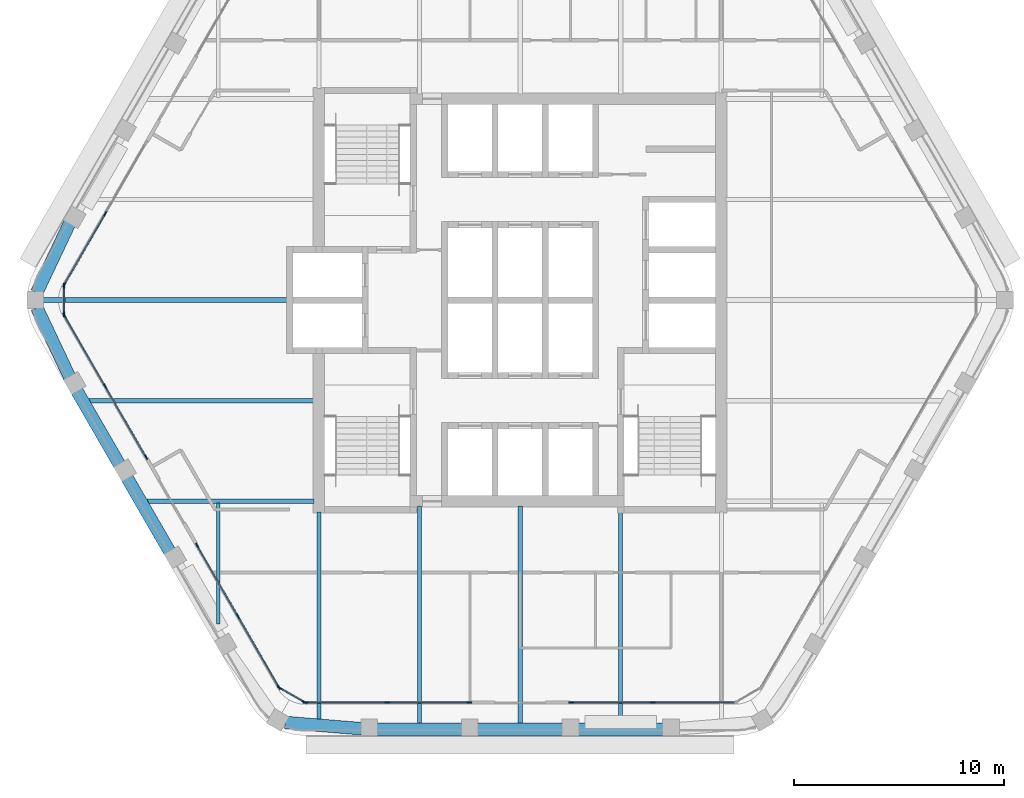
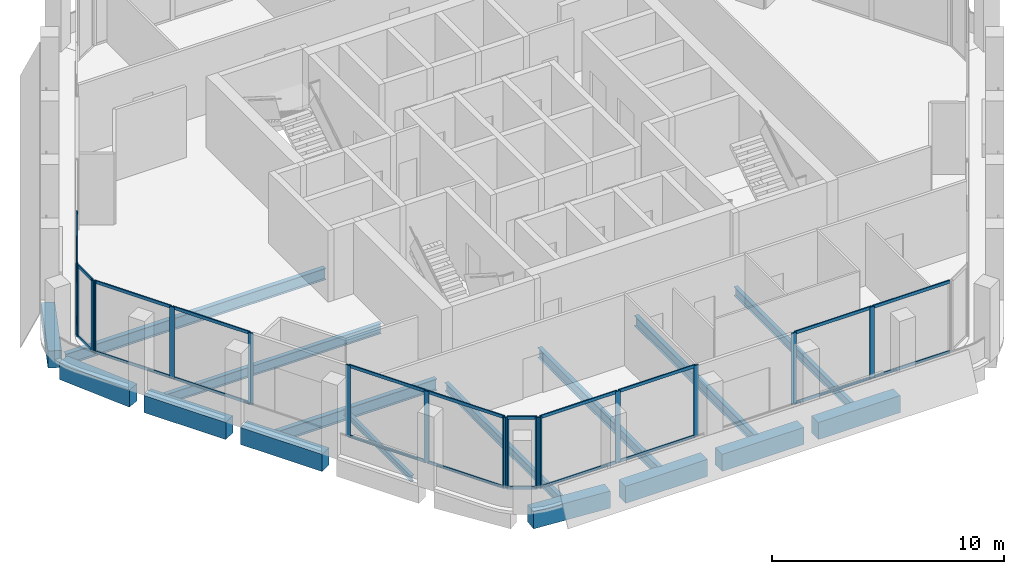
# One storey, part 2 of 14: 39 members, 16 beams, 7 elements without a shape of their own.
"""IFC4 building model written with IfcOpenShell, lengths in metres."""

from ifc_helpers import new_model, si_unit, direction, frame, origin, origin_2d, place, context, subcontext, project, spatial, rectangle, i_section, extrude, material, material_profile, profile_set, type_object, element, aggregate, save


model = new_model("IFC4")

# Units and contexts
model_context = context("Model", 3, precision=1e-05, world=origin(), true_north=direction((0.0, 1.0)))
body_context = subcontext(model_context, "Body", "Model", "MODEL_VIEW")
ifc_project = project(units=[si_unit("LENGTHUNIT", "METRE"), si_unit("AREAUNIT", "SQUARE_METRE"), si_unit("VOLUMEUNIT", "CUBIC_METRE"), si_unit("PLANEANGLEUNIT", "RADIAN"), si_unit("MASSUNIT", "GRAM", prefix="KILO")], contexts=[model_context])

# Site, building, storey
site_placement = place(None, origin())
site = spatial("IfcSite", under=ifc_project, at=site_placement, CompositionType="ELEMENT")
building_placement = place(site_placement, origin())
building = spatial("IfcBuilding", under=site, at=building_placement, Name="Kolab Exchange Tower", CompositionType="ELEMENT")
storey_placement = place(building_placement, frame((0.0, 0.0, 261.800048828125)))
storey = spatial("IfcBuildingStorey", under=building, at=storey_placement, Name="L58", CompositionType="ELEMENT", Elevation=261.800048828125)

# Beams
ifc_material_1 = material(Name="Steel S355", Category="steel")
ifc_material_profile_1 = material_profile(ifc_material_1, i_section(OverallWidth=0.1650390625, OverallDepth=0.31005859375, WebThickness=0.005859375, FlangeThickness=0.009765625, at=origin_2d()), Name="W310X39")
ifc_profile_set_1 = profile_set([ifc_material_profile_1], Name="Steel S355")
beam_type_1 = type_object("IfcBeamType", Name="FLOOR BEAM W310X39", PredefinedType="BEAM", material=ifc_profile_set_1)
beam_1_placement = place(storey_placement, frame((-14.39990234375, -15.4677734375, -0.304931640625), z_axis=(0.0, 1.0, 0.0), x_axis=(-1.0, 0.0, 0.0)))
element("IfcBeam", 1, at=beam_1_placement, inside=storey, type_object=beam_type_1, Name="beam/L58/fr/003", PredefinedType="BEAM", context=body_context, shape_type="SweptSolid", body=[
    extrude(i_section(OverallWidth=0.1650390625, OverallDepth=0.31005859375, WebThickness=0.005859375, FlangeThickness=0.009765625, at=origin_2d()), origin(), (0.0, 0.0, 1.0), 5.793701171875),
])
ifc_material_profile_2 = material_profile(ifc_material_1, i_section(OverallWidth=0.18994140625, OverallDepth=0.45703125, WebThickness=0.009033203125, FlangeThickness=0.014404296875, at=origin_2d()), Name="W460X74")
ifc_profile_set_2 = profile_set([ifc_material_profile_2], Name="Steel S355")
beam_type_2 = type_object("IfcBeamType", Name="FLOOR BEAM W460X74", PredefinedType="BEAM", material=ifc_profile_set_2)
beam_2_placement = place(storey_placement, frame((-9.60009765625, -20.027099609375, -0.378662109375), z_axis=(0.0, 1.0, 0.0), x_axis=(-1.0, 0.0, 0.0)))
element("IfcBeam", 2, at=beam_2_placement, inside=storey, type_object=beam_type_2, Name="beam/L58/fr/005", PredefinedType="BEAM", context=body_context, shape_type="SweptSolid", body=[
    extrude(i_section(OverallWidth=0.18994140625, OverallDepth=0.45703125, WebThickness=0.009033203125, FlangeThickness=0.014404296875, at=origin_2d()), origin(), (0.0, 0.0, 1.0), 9.9169921875),
])
beam_3_placement = place(storey_placement, frame((4.800048828125, -20.224609375, -0.378662109375), z_axis=(0.0, 1.0, 0.0), x_axis=(-1.0, 0.0, 0.0)))
element("IfcBeam", 3, at=beam_3_placement, inside=storey, type_object=beam_type_2, Name="beam/L58/fr/011", PredefinedType="BEAM", context=body_context, shape_type="SweptSolid", body=[
    extrude(i_section(OverallWidth=0.18994140625, OverallDepth=0.45703125, WebThickness=0.009033203125, FlangeThickness=0.014404296875, at=origin_2d()), origin(), (0.0, 0.0, 1.0), 10.114501953125),
])
ifc_material_profile_3 = material_profile(ifc_material_1, i_section(OverallWidth=0.208984375, OverallDepth=0.532958984375, WebThickness=0.01025390625, FlangeThickness=0.015625, at=origin_2d()), Name="W530X92")
ifc_profile_set_3 = profile_set([ifc_material_profile_3], Name="Steel S355")
beam_type_3 = type_object("IfcBeamType", Name="FLOOR BEAM W530X92", PredefinedType="BEAM", material=ifc_profile_set_3)
beam_4_placement = place(storey_placement, frame((-20.575927734375, -4.800048828125, -0.41650390625), z_axis=(1.0, 0.0, 0.0), x_axis=(0.0, 1.0, 0.0)))
element("IfcBeam", 4, at=beam_4_placement, inside=storey, type_object=beam_type_3, Name="beam/L58/fr/001", PredefinedType="BEAM", context=body_context, shape_type="SweptSolid", body=[
    extrude(i_section(OverallWidth=0.208984375, OverallDepth=0.532958984375, WebThickness=0.01025390625, FlangeThickness=0.015625, at=origin_2d()), origin(), (0.0, 0.0, 1.0), 10.740966796875),
])
for number, where, z_axis, x_axis, name in (
    (5, (-4.800048828125, -20.224609375, -0.41650390625), (0.0, 1.0, 0.0), (-1.0, 0.0, 0.0), "beam/L58/fr/007"),
    (6, (0.0, -20.224609375, -0.41650390625), (0.0, 1.0, 0.0), (-1.0, 0.0, 0.0), "beam/L58/fr/009"),
):
    element("IfcBeam", number, at=place(storey_placement, frame(where, z_axis=z_axis, x_axis=x_axis)), inside=storey, type_object=beam_type_3, Name=name, PredefinedType="BEAM", context=body_context, shape_type="SweptSolid", body=[
        extrude(i_section(OverallWidth=0.208984375, OverallDepth=0.532958984375, WebThickness=0.01025390625, FlangeThickness=0.015625, at=origin_2d()), origin(), (0.0, 0.0, 1.0), 10.3896484375),
    ])
ifc_material_profile_4 = material_profile(ifc_material_1, i_section(OverallWidth=0.22802734375, OverallDepth=0.60791015625, WebThickness=0.01123046875, FlangeThickness=0.017333984375, at=origin_2d()), Name="W610X113")
ifc_profile_set_4 = profile_set([ifc_material_profile_4], Name="Steel S355")
beam_type_4 = type_object("IfcBeamType", Name="FLOOR BEAM W610X113", PredefinedType="BEAM", material=ifc_profile_set_4)
beam_5_placement = place(storey_placement, frame((-22.77587890625, 0.0, -0.4541015625), z_axis=(1.0, 0.0, 0.0), x_axis=(0.0, 1.0, 0.0)))
element("IfcBeam", 7, at=beam_5_placement, inside=storey, type_object=beam_type_4, Name="beam/L58/fr/000", PredefinedType="BEAM", context=body_context, shape_type="SweptSolid", body=[
    extrude(i_section(OverallWidth=0.22802734375, OverallDepth=0.60791015625, WebThickness=0.01123046875, FlangeThickness=0.017333984375, at=origin_2d()), origin(), (0.0, 0.0, 1.0), 12.94091796875),
])
ifc_material_profile_5 = material_profile(ifc_material_1, i_section(OverallWidth=0.22802734375, OverallDepth=0.60791015625, WebThickness=0.01123046875, FlangeThickness=0.017333984375, at=origin_2d()), Name="W610X113")
ifc_profile_set_5 = profile_set([ifc_material_profile_5], Name="Steel S355")
beam_type_5 = type_object("IfcBeamType", Name="FLOOR GIRDER W610X113", PredefinedType="BEAM", material=ifc_profile_set_5)
beam_6_placement = place(storey_placement, frame((-17.8046875, -9.60009765625, -0.4541015625), z_axis=(1.0, 0.0, 0.0), x_axis=(0.0, 1.0, 0.0)))
element("IfcBeam", 8, at=beam_6_placement, inside=storey, type_object=beam_type_5, Name="beam/L58/gd/000", PredefinedType="BEAM", context=body_context, shape_type="SweptSolid", body=[
    extrude(i_section(OverallWidth=0.22802734375, OverallDepth=0.60791015625, WebThickness=0.01123046875, FlangeThickness=0.017333984375, at=origin_2d()), origin(), (0.0, 0.0, 1.0), 7.9697265625),
])
ifc_material_2 = material(Name="Concrete C50/60", Category="concrete")
ifc_material_profile_6 = material_profile(ifc_material_2, rectangle(XDim=0.60009765625, YDim=0.89990234375, at=origin_2d()), Name="RC600X900")
ifc_profile_set_6 = profile_set([ifc_material_profile_6], Name="Concrete C50/60")
beam_type_6 = type_object("IfcBeamType", Name="SPANDREL BEAM 600X900 C50/60", PredefinedType="BEAM", material=ifc_profile_set_6)
for number, where, z_axis, x_axis, name in (
    (9, (6.840087890625, -20.484619140625, -0.60009765625), (-1.0, 0.0, 0.0), (0.0, -1.0, 0.0), "beam/L58/sp/F4-02"),
    (10, (2.0400390625, -20.484619140625, -0.60009765625), (-1.0, 0.0, 0.0), (0.0, -1.0, 0.0), "beam/L58/sp/F4-03"),
    (11, (-2.760009765625, -20.484619140625, -0.60009765625), (-1.0, 0.0, 0.0), (0.0, -1.0, 0.0), "beam/L58/sp/F4-04"),
):
    element("IfcBeam", number, at=place(storey_placement, frame(where, z_axis=z_axis, x_axis=x_axis)), inside=storey, type_object=beam_type_6, Name=name, PredefinedType="BEAM", context=body_context, shape_type="SweptSolid", body=[
        extrude(rectangle(XDim=0.60009765625, YDim=0.89990234375, at=origin_2d()), origin(), (0.0, 0.0, 1.0), 4.080078125),
    ])
beam_7_placement = place(storey_placement, frame((-7.56005859375, -20.455078125, -0.60009765625), z_axis=(-0.996666751878, 0.081580547323, 0.0), x_axis=(-0.081580547323, -0.996666751878, 0.0)))
element("IfcBeam", 12, at=beam_7_placement, inside=storey, type_object=beam_type_6, Name="beam/L58/sp/F4-05", PredefinedType="BEAM", context=body_context, shape_type="SweptSolid", body=[
    extrude(rectangle(XDim=0.60009765625, YDim=0.89990234375, at=origin_2d()), origin(), (0.0, 0.0, 1.0), 3.6689453125),
])
for number, where, z_axis, x_axis, name in (
    (13, (-16.72021484375, -12.009033203125, -0.60009765625), (-0.500000428765, 0.866025156237, 0.0), (-0.866025156237, -0.500000428765, 0.0), "beam/L58/sp/F5-03"),
    (14, (-19.1201171875, -7.85205078125, -0.60009765625), (-0.500000428765, 0.866025156237, 0.0), (-0.866025156237, -0.500000428765, 0.0), "beam/L58/sp/F5-04"),
):
    element("IfcBeam", number, at=place(storey_placement, frame(where, z_axis=z_axis, x_axis=x_axis)), inside=storey, type_object=beam_type_6, Name=name, PredefinedType="BEAM", context=body_context, shape_type="SweptSolid", body=[
        extrude(rectangle(XDim=0.60009765625, YDim=0.89990234375, at=origin_2d()), origin(), (0.0, 0.0, 1.0), 4.080078125),
    ])
for number, where, z_axis, x_axis, name in (
    (15, (-21.49462890625, -3.68017578125, -0.60009765625), (-0.427677251998, 0.903931506323, 0.0), (-0.903931506323, -0.427677251998, 0.0), "beam/L58/sp/F5-05"),
    (16, (-23.063720703125, 0.36376953125, -0.60009765625), (0.427677251998, 0.903931506323, 0.0), (-0.903931506323, 0.427677251998, 0.0), "beam/L58/sp/F6-01"),
):
    element("IfcBeam", number, at=place(storey_placement, frame(where, z_axis=z_axis, x_axis=x_axis)), inside=storey, type_object=beam_type_6, Name=name, PredefinedType="BEAM", context=body_context, shape_type="SweptSolid", body=[
        extrude(rectangle(XDim=0.60009765625, YDim=0.89990234375, at=origin_2d()), origin(), (0.0, 0.0, 1.0), 3.6689453125),
    ])

# Curtain wall, members
ifc_material_3 = material(Name="Aluminium EN AW-6063 T6", Category="aluminium")
curtain_wall_type = type_object("IfcCurtainWallType", Name="UNITISED HIGH ZONE CURTAIN WALL", PredefinedType="NOTDEFINED", material=ifc_material_3)
curtain_wall_1_placement = place(storey_placement, origin())
curtain_wall_1 = element("IfcCurtainWall", 17, at=curtain_wall_1_placement, inside=storey, type_object=curtain_wall_type, Name="cw/L58/F4-1", PredefinedType="NOTDEFINED")
ifc_material_profile_7 = material_profile(ifc_material_3, rectangle(XDim=0.06005859375, YDim=0.239990234375, at=origin_2d()), Name="RECT 60X240")
ifc_profile_set_7 = profile_set([ifc_material_profile_7], Name="Aluminium EN AW-6063 T6")
member_type_1 = type_object("IfcMemberType", Name="UNITISED HIGH ZONE MULLION 60 X 240", PredefinedType="MULLION", material=ifc_profile_set_7)
member_1_placement = place(storey_placement, frame((6.333984375, -19.20458984375, 0.0), z_axis=(0.0, 0.0, 1.0), x_axis=(0.0, -1.0, 0.0)))
member_1 = element("IfcMember", 18, at=member_1_placement, type_object=member_type_1, Name="CW4 mullion 2", PredefinedType="MULLION", context=body_context, shape_type="SweptSolid", body=[
    extrude(rectangle(XDim=0.06005859375, YDim=0.239990234375, at=origin_2d()), origin(), (0.0, 0.0, 1.0), 3.75),
])
member_2_placement = place(storey_placement, frame((2.429931640625, -19.20458984375, 0.0), z_axis=(0.0, 0.0, 1.0), x_axis=(0.0, -1.0, 0.0)))
member_2 = element("IfcMember", 19, at=member_2_placement, type_object=member_type_1, Name="CW4 mullion 3", PredefinedType="MULLION", context=body_context, shape_type="SweptSolid", body=[
    extrude(rectangle(XDim=0.06005859375, YDim=0.239990234375, at=origin_2d()), origin(), (0.0, 0.0, 1.0), 3.75),
])

curtain_wall_2_placement = place(storey_placement, origin())
curtain_wall_2 = element("IfcCurtainWall", 20, at=curtain_wall_2_placement, inside=storey, type_object=curtain_wall_type, Name="cw/L58/F4-2", PredefinedType="NOTDEFINED")
member_3_placement = place(storey_placement, frame((-2.429931640625, -19.20458984375, 0.0), z_axis=(0.0, 0.0, 1.0), x_axis=(0.0, -1.0, 0.0)))
member_3 = element("IfcMember", 21, at=member_3_placement, type_object=member_type_1, Name="CW4 mullion 1", PredefinedType="MULLION", context=body_context, shape_type="SweptSolid", body=[
    extrude(rectangle(XDim=0.06005859375, YDim=0.239990234375, at=origin_2d()), origin(), (0.0, 0.0, 1.0), 3.75),
])
member_4_placement = place(storey_placement, frame((-6.333984375, -19.20458984375, 0.0), z_axis=(0.0, 0.0, 1.0), x_axis=(0.0, -1.0, 0.0)))
member_4 = element("IfcMember", 22, at=member_4_placement, type_object=member_type_1, Name="CW4 mullion 2", PredefinedType="MULLION", context=body_context, shape_type="SweptSolid", body=[
    extrude(rectangle(XDim=0.06005859375, YDim=0.239990234375, at=origin_2d()), origin(), (0.0, 0.0, 1.0), 3.75),
])
member_5_placement = place(storey_placement, frame((-10.238037109375, -19.20458984375, 0.0), z_axis=(0.0, 0.0, 1.0), x_axis=(0.0, -1.0, 0.0)))
member_5 = element("IfcMember", 23, at=member_5_placement, type_object=member_type_1, Name="CW4 mullion 3", PredefinedType="MULLION", context=body_context, shape_type="SweptSolid", body=[
    extrude(rectangle(XDim=0.06005859375, YDim=0.239990234375, at=origin_2d()), origin(), (0.0, 0.0, 1.0), 3.75),
])

curtain_wall_3_placement = place(storey_placement, origin())
curtain_wall_3 = element("IfcCurtainWall", 24, at=curtain_wall_3_placement, inside=storey, type_object=curtain_wall_type, Name="cw/L58/F5-1", PredefinedType="NOTDEFINED")
member_6_placement = place(storey_placement, frame((-11.5126953125, -18.46875, 0.0), z_axis=(0.0, 0.0, 1.0), x_axis=(-0.866025385493, -0.500000031681, 0.0)))
member_6 = element("IfcMember", 25, at=member_6_placement, type_object=member_type_1, Name="CW4 mullion 1", PredefinedType="MULLION", context=body_context, shape_type="SweptSolid", body=[
    extrude(rectangle(XDim=0.06005859375, YDim=0.239990234375, at=origin_2d()), origin(), (0.0, 0.0, 1.0), 3.75),
])
member_7_placement = place(storey_placement, frame((-13.464599609375, -15.087646484375, 0.0), z_axis=(0.0, 0.0, 1.0), x_axis=(-0.866025385493, -0.500000031681, 0.0)))
member_7 = element("IfcMember", 26, at=member_7_placement, type_object=member_type_1, Name="CW4 mullion 2", PredefinedType="MULLION", context=body_context, shape_type="SweptSolid", body=[
    extrude(rectangle(XDim=0.06005859375, YDim=0.239990234375, at=origin_2d()), origin(), (0.0, 0.0, 1.0), 3.75),
])
member_8_placement = place(storey_placement, frame((-15.416748046875, -11.706787109375, 0.0), z_axis=(0.0, 0.0, 1.0), x_axis=(-0.866025385493, -0.500000031681, 0.0)))
member_8 = element("IfcMember", 27, at=member_8_placement, type_object=member_type_1, Name="CW4 mullion 3", PredefinedType="MULLION", context=body_context, shape_type="SweptSolid", body=[
    extrude(rectangle(XDim=0.06005859375, YDim=0.239990234375, at=origin_2d()), origin(), (0.0, 0.0, 1.0), 3.75),
])

curtain_wall_4_placement = place(storey_placement, origin())
curtain_wall_4 = element("IfcCurtainWall", 28, at=curtain_wall_4_placement, inside=storey, type_object=curtain_wall_type, Name="cw/L58/F5-2", PredefinedType="NOTDEFINED")
member_9_placement = place(storey_placement, frame((-17.8466796875, -7.497802734375, 0.0), z_axis=(0.0, 0.0, 1.0), x_axis=(-0.866025440524, -0.499999936366, 0.0)))
member_9 = element("IfcMember", 29, at=member_9_placement, type_object=member_type_1, Name="CW4 mullion 1", PredefinedType="MULLION", context=body_context, shape_type="SweptSolid", body=[
    extrude(rectangle(XDim=0.06005859375, YDim=0.239990234375, at=origin_2d()), origin(), (0.0, 0.0, 1.0), 3.75),
])
member_10_placement = place(storey_placement, frame((-19.798583984375, -4.116943359375, 0.0), z_axis=(0.0, 0.0, 1.0), x_axis=(-0.866025440524, -0.499999936366, 0.0)))
member_10 = element("IfcMember", 30, at=member_10_placement, type_object=member_type_1, Name="CW4 mullion 2", PredefinedType="MULLION", context=body_context, shape_type="SweptSolid", body=[
    extrude(rectangle(XDim=0.06005859375, YDim=0.239990234375, at=origin_2d()), origin(), (0.0, 0.0, 1.0), 3.75),
])
member_11_placement = place(storey_placement, frame((-21.750732421875, -0.736083984375, 0.0), z_axis=(0.0, 0.0, 1.0), x_axis=(-0.866025440524, -0.499999936366, 0.0)))
member_11 = element("IfcMember", 31, at=member_11_placement, type_object=member_type_1, Name="CW4 mullion 3", PredefinedType="MULLION", context=body_context, shape_type="SweptSolid", body=[
    extrude(rectangle(XDim=0.06005859375, YDim=0.239990234375, at=origin_2d()), origin(), (0.0, 0.0, 1.0), 3.75),
])

curtain_wall_5_placement = place(storey_placement, origin())
curtain_wall_5 = element("IfcCurtainWall", 32, at=curtain_wall_5_placement, inside=storey, type_object=curtain_wall_type, Name="cw/L58/F6-1", PredefinedType="NOTDEFINED")
member_12_placement = place(storey_placement, frame((-21.750732421875, 0.736083984375, 0.0), z_axis=(0.0, 0.0, 1.0), x_axis=(-0.866025440524, 0.499999936366, 0.0)))
member_12 = element("IfcMember", 33, at=member_12_placement, type_object=member_type_1, Name="CW4 mullion 1", PredefinedType="MULLION", context=body_context, shape_type="SweptSolid", body=[
    extrude(rectangle(XDim=0.06005859375, YDim=0.239990234375, at=origin_2d()), origin(), (0.0, 0.0, 1.0), 3.75),
])
member_13_placement = place(storey_placement, frame((-19.798583984375, 4.116943359375, 0.0), z_axis=(0.0, 0.0, 1.0), x_axis=(-0.866025440524, 0.499999936366, 0.0)))
member_13 = element("IfcMember", 34, at=member_13_placement, type_object=member_type_1, Name="CW4 mullion 2", PredefinedType="MULLION", context=body_context, shape_type="SweptSolid", body=[
    extrude(rectangle(XDim=0.06005859375, YDim=0.239990234375, at=origin_2d()), origin(), (0.0, 0.0, 1.0), 3.75),
])

curtain_wall_6_placement = place(storey_placement, origin())
curtain_wall_6 = element("IfcCurtainWall", 35, at=curtain_wall_6_placement, inside=storey, type_object=curtain_wall_type, Name="cw/L58/F4F5-corner", PredefinedType="NOTDEFINED")
member_14_placement = place(storey_placement, frame((-10.2939453125, -19.189697265625, 0.0), z_axis=(0.0, 0.0, 1.0), x_axis=(-0.50000002237, -0.866025390869, 0.0)))
member_14 = element("IfcMember", 36, at=member_14_placement, type_object=member_type_1, Name="CW4 mullion 1", PredefinedType="MULLION", context=body_context, shape_type="SweptSolid", body=[
    extrude(rectangle(XDim=0.06005859375, YDim=0.239990234375, at=origin_2d()), origin(), (0.0, 0.0, 1.0), 3.75),
])
member_15_placement = place(storey_placement, frame((-11.4716796875, -18.509521484375, 0.0), z_axis=(0.0, 0.0, 1.0), x_axis=(-0.50000002237, -0.866025390869, 0.0)))
member_15 = element("IfcMember", 37, at=member_15_placement, type_object=member_type_1, Name="CW4 mullion 2", PredefinedType="MULLION", context=body_context, shape_type="SweptSolid", body=[
    extrude(rectangle(XDim=0.06005859375, YDim=0.239990234375, at=origin_2d()), origin(), (0.0, 0.0, 1.0), 3.75),
])

curtain_wall_7_placement = place(storey_placement, origin())
curtain_wall_7 = element("IfcCurtainWall", 38, at=curtain_wall_7_placement, inside=storey, type_object=curtain_wall_type, Name="cw/L58/F5F6-corner", PredefinedType="NOTDEFINED")
member_16_placement = place(storey_placement, frame((-21.765625, -0.679931640625, 0.0), z_axis=(0.0, 0.0, 1.0), x_axis=(-1.0, 0.0, 0.0)))
member_16 = element("IfcMember", 39, at=member_16_placement, type_object=member_type_1, Name="CW4 mullion 1", PredefinedType="MULLION", context=body_context, shape_type="SweptSolid", body=[
    extrude(rectangle(XDim=0.06005859375, YDim=0.239990234375, at=origin_2d()), origin(), (0.0, 0.0, 1.0), 3.75),
])
member_17_placement = place(storey_placement, frame((-21.765625, 0.679931640625, 0.0), z_axis=(0.0, 0.0, 1.0), x_axis=(-1.0, 0.0, 0.0)))
member_17 = element("IfcMember", 40, at=member_17_placement, type_object=member_type_1, Name="CW4 mullion 2", PredefinedType="MULLION", context=body_context, shape_type="SweptSolid", body=[
    extrude(rectangle(XDim=0.06005859375, YDim=0.239990234375, at=origin_2d()), origin(), (0.0, 0.0, 1.0), 3.75),
])

# Member
ifc_material_profile_8 = material_profile(ifc_material_3, rectangle(XDim=0.06005859375, YDim=0.159912109375, at=origin_2d()), Name="RECT 60X160")
ifc_profile_set_8 = profile_set([ifc_material_profile_8], Name="Aluminium EN AW-6063 T6")
member_type_2 = type_object("IfcMemberType", Name="UNITISED HIGH ZONE TRANSOM 60 X 160", PredefinedType="USERDEFINED", material=ifc_profile_set_8)
member_18_placement = place(storey_placement, frame((10.2080078125, -19.20458984375, 0.030029296875), z_axis=(-1.0, 0.0, 0.0), x_axis=(0.0, -1.0, 0.0)))
member_18 = element("IfcMember", 41, at=member_18_placement, type_object=member_type_2, Name="CW4 transom 1.1", ObjectType="TRANSOM", PredefinedType="USERDEFINED", context=body_context, shape_type="SweptSolid", body=[
    extrude(rectangle(XDim=0.06005859375, YDim=0.159912109375, at=origin_2d()), origin(), (0.0, 0.0, 1.0), 3.843994140625),
])

member_19_placement = place(storey_placement, frame((10.2080078125, -19.20458984375, 3.719970703125), z_axis=(-1.0, 0.0, 0.0), x_axis=(0.0, -1.0, 0.0)))
member_19 = element("IfcMember", 42, at=member_19_placement, type_object=member_type_2, Name="CW4 transom 1.2", ObjectType="TRANSOM", PredefinedType="USERDEFINED", context=body_context, shape_type="SweptSolid", body=[
    extrude(rectangle(XDim=0.06005859375, YDim=0.159912109375, at=origin_2d()), origin(), (0.0, 0.0, 1.0), 3.843994140625),
])

member_20_placement = place(storey_placement, frame((6.303955078125, -19.20458984375, 0.030029296875), z_axis=(-1.0, 0.0, 0.0), x_axis=(0.0, -1.0, 0.0)))
member_20 = element("IfcMember", 43, at=member_20_placement, type_object=member_type_2, Name="CW4 transom 2.1", ObjectType="TRANSOM", PredefinedType="USERDEFINED", context=body_context, shape_type="SweptSolid", body=[
    extrude(rectangle(XDim=0.06005859375, YDim=0.159912109375, at=origin_2d()), origin(), (0.0, 0.0, 1.0), 3.843994140625),
])

member_21_placement = place(storey_placement, frame((6.303955078125, -19.20458984375, 3.719970703125), z_axis=(-1.0, 0.0, 0.0), x_axis=(0.0, -1.0, 0.0)))
member_21 = element("IfcMember", 44, at=member_21_placement, type_object=member_type_2, Name="CW4 transom 2.2", ObjectType="TRANSOM", PredefinedType="USERDEFINED", context=body_context, shape_type="SweptSolid", body=[
    extrude(rectangle(XDim=0.06005859375, YDim=0.159912109375, at=origin_2d()), origin(), (0.0, 0.0, 1.0), 3.843994140625),
])

aggregate(curtain_wall_1, [member_1, member_2, member_18, member_19, member_20, member_21])

member_22_placement = place(storey_placement, frame((-2.4599609375, -19.20458984375, 0.030029296875), z_axis=(-1.0, 0.0, 0.0), x_axis=(0.0, -1.0, 0.0)))
member_22 = element("IfcMember", 45, at=member_22_placement, type_object=member_type_2, Name="CW4 transom 1.1", ObjectType="TRANSOM", PredefinedType="USERDEFINED", context=body_context, shape_type="SweptSolid", body=[
    extrude(rectangle(XDim=0.06005859375, YDim=0.159912109375, at=origin_2d()), origin(), (0.0, 0.0, 1.0), 3.843994140625),
])

member_23_placement = place(storey_placement, frame((-2.4599609375, -19.20458984375, 3.719970703125), z_axis=(-1.0, 0.0, 0.0), x_axis=(0.0, -1.0, 0.0)))
member_23 = element("IfcMember", 46, at=member_23_placement, type_object=member_type_2, Name="CW4 transom 1.2", ObjectType="TRANSOM", PredefinedType="USERDEFINED", context=body_context, shape_type="SweptSolid", body=[
    extrude(rectangle(XDim=0.06005859375, YDim=0.159912109375, at=origin_2d()), origin(), (0.0, 0.0, 1.0), 3.843994140625),
])

member_24_placement = place(storey_placement, frame((-6.364013671875, -19.20458984375, 0.030029296875), z_axis=(-1.0, 0.0, 0.0), x_axis=(0.0, -1.0, 0.0)))
member_24 = element("IfcMember", 47, at=member_24_placement, type_object=member_type_2, Name="CW4 transom 2.1", ObjectType="TRANSOM", PredefinedType="USERDEFINED", context=body_context, shape_type="SweptSolid", body=[
    extrude(rectangle(XDim=0.06005859375, YDim=0.159912109375, at=origin_2d()), origin(), (0.0, 0.0, 1.0), 3.843994140625),
])

member_25_placement = place(storey_placement, frame((-6.364013671875, -19.20458984375, 3.719970703125), z_axis=(-1.0, 0.0, 0.0), x_axis=(0.0, -1.0, 0.0)))
member_25 = element("IfcMember", 48, at=member_25_placement, type_object=member_type_2, Name="CW4 transom 2.2", ObjectType="TRANSOM", PredefinedType="USERDEFINED", context=body_context, shape_type="SweptSolid", body=[
    extrude(rectangle(XDim=0.06005859375, YDim=0.159912109375, at=origin_2d()), origin(), (0.0, 0.0, 1.0), 3.843994140625),
])

aggregate(curtain_wall_2, [member_3, member_4, member_5, member_22, member_23, member_24, member_25])

member_26_placement = place(storey_placement, frame((-11.527587890625, -18.442626953125, 0.030029296875), z_axis=(-0.500039492609, 0.866002601515, 0.0), x_axis=(-0.866002601515, -0.500039492609, 0.0)))
member_26 = element("IfcMember", 49, at=member_26_placement, type_object=member_type_2, Name="CW4 transom 1.1", ObjectType="TRANSOM", PredefinedType="USERDEFINED", context=body_context, shape_type="SweptSolid", body=[
    extrude(rectangle(XDim=0.06005859375, YDim=0.159912109375, at=origin_2d()), origin(), (0.0, 0.0, 1.0), 3.843994140625),
])

member_27_placement = place(storey_placement, frame((-11.527587890625, -18.442626953125, 3.719970703125), z_axis=(-0.500039492609, 0.866002601515, 0.0), x_axis=(-0.866002601515, -0.500039492609, 0.0)))
member_27 = element("IfcMember", 50, at=member_27_placement, type_object=member_type_2, Name="CW4 transom 1.2", ObjectType="TRANSOM", PredefinedType="USERDEFINED", context=body_context, shape_type="SweptSolid", body=[
    extrude(rectangle(XDim=0.06005859375, YDim=0.159912109375, at=origin_2d()), origin(), (0.0, 0.0, 1.0), 3.843994140625),
])

member_28_placement = place(storey_placement, frame((-13.479736328125, -15.061767578125, 0.030029296875), z_axis=(-0.499964356602, 0.866045981532, 0.0), x_axis=(-0.866045981532, -0.499964356602, 0.0)))
member_28 = element("IfcMember", 51, at=member_28_placement, type_object=member_type_2, Name="CW4 transom 2.1", ObjectType="TRANSOM", PredefinedType="USERDEFINED", context=body_context, shape_type="SweptSolid", body=[
    extrude(rectangle(XDim=0.06005859375, YDim=0.159912109375, at=origin_2d()), origin(), (0.0, 0.0, 1.0), 3.843994140625),
])

member_29_placement = place(storey_placement, frame((-13.479736328125, -15.061767578125, 3.719970703125), z_axis=(-0.499964356602, 0.866045981532, 0.0), x_axis=(-0.866045981532, -0.499964356602, 0.0)))
member_29 = element("IfcMember", 52, at=member_29_placement, type_object=member_type_2, Name="CW4 transom 2.2", ObjectType="TRANSOM", PredefinedType="USERDEFINED", context=body_context, shape_type="SweptSolid", body=[
    extrude(rectangle(XDim=0.06005859375, YDim=0.159912109375, at=origin_2d()), origin(), (0.0, 0.0, 1.0), 3.843994140625),
])

aggregate(curtain_wall_3, [member_6, member_7, member_8, member_26, member_27, member_28, member_29])

member_30_placement = place(storey_placement, frame((-17.861572265625, -7.471923828125, 0.030029296875), z_axis=(-0.500011990396, 0.866018481016, 0.0), x_axis=(-0.866018481016, -0.500011990396, 0.0)))
member_30 = element("IfcMember", 53, at=member_30_placement, type_object=member_type_2, Name="CW4 transom 1.1", ObjectType="TRANSOM", PredefinedType="USERDEFINED", context=body_context, shape_type="SweptSolid", body=[
    extrude(rectangle(XDim=0.06005859375, YDim=0.159912109375, at=origin_2d()), origin(), (0.0, 0.0, 1.0), 3.84423828125),
])

member_31_placement = place(storey_placement, frame((-17.861572265625, -7.471923828125, 3.719970703125), z_axis=(-0.500011990396, 0.866018481016, 0.0), x_axis=(-0.866018481016, -0.500011990396, 0.0)))
member_31 = element("IfcMember", 54, at=member_31_placement, type_object=member_type_2, Name="CW4 transom 1.2", ObjectType="TRANSOM", PredefinedType="USERDEFINED", context=body_context, shape_type="SweptSolid", body=[
    extrude(rectangle(XDim=0.06005859375, YDim=0.159912109375, at=origin_2d()), origin(), (0.0, 0.0, 1.0), 3.84423828125),
])

member_32_placement = place(storey_placement, frame((-19.813720703125, -4.0908203125, 0.030029296875), z_axis=(-0.499991857942, 0.866030104553, 0.0), x_axis=(-0.866030104553, -0.499991857942, 0.0)))
member_32 = element("IfcMember", 55, at=member_32_placement, type_object=member_type_2, Name="CW4 transom 2.1", ObjectType="TRANSOM", PredefinedType="USERDEFINED", context=body_context, shape_type="SweptSolid", body=[
    extrude(rectangle(XDim=0.06005859375, YDim=0.159912109375, at=origin_2d()), origin(), (0.0, 0.0, 1.0), 3.84375),
])

member_33_placement = place(storey_placement, frame((-19.813720703125, -4.0908203125, 3.719970703125), z_axis=(-0.499991857942, 0.866030104553, 0.0), x_axis=(-0.866030104553, -0.499991857942, 0.0)))
member_33 = element("IfcMember", 56, at=member_33_placement, type_object=member_type_2, Name="CW4 transom 2.2", ObjectType="TRANSOM", PredefinedType="USERDEFINED", context=body_context, shape_type="SweptSolid", body=[
    extrude(rectangle(XDim=0.06005859375, YDim=0.159912109375, at=origin_2d()), origin(), (0.0, 0.0, 1.0), 3.84375),
])

aggregate(curtain_wall_4, [member_9, member_10, member_11, member_30, member_31, member_32, member_33])

member_34_placement = place(storey_placement, frame((-21.735595703125, 0.761962890625, 0.030029296875), z_axis=(0.499991857942, 0.866030104553, 0.0), x_axis=(-0.866030104553, 0.499991857942, 0.0)))
member_34 = element("IfcMember", 57, at=member_34_placement, type_object=member_type_2, Name="CW4 transom 1.1", ObjectType="TRANSOM", PredefinedType="USERDEFINED", context=body_context, shape_type="SweptSolid", body=[
    extrude(rectangle(XDim=0.06005859375, YDim=0.159912109375, at=origin_2d()), origin(), (0.0, 0.0, 1.0), 3.84375),
])

member_35_placement = place(storey_placement, frame((-21.735595703125, 0.761962890625, 3.719970703125), z_axis=(0.499991857942, 0.866030104553, 0.0), x_axis=(-0.866030104553, 0.499991857942, 0.0)))
member_35 = element("IfcMember", 58, at=member_35_placement, type_object=member_type_2, Name="CW4 transom 1.2", ObjectType="TRANSOM", PredefinedType="USERDEFINED", context=body_context, shape_type="SweptSolid", body=[
    extrude(rectangle(XDim=0.06005859375, YDim=0.159912109375, at=origin_2d()), origin(), (0.0, 0.0, 1.0), 3.84375),
])

aggregate(curtain_wall_5, [member_12, member_13, member_34, member_35])

member_36_placement = place(storey_placement, frame((-10.31982421875, -19.174560546875, 0.030029296875), z_axis=(-0.866085525409, 0.49989585183, 0.0), x_axis=(-0.49989585183, -0.866085525409, 0.0)))
member_36 = element("IfcMember", 59, at=member_36_placement, type_object=member_type_2, Name="CW4 transom 1.1", ObjectType="TRANSOM", PredefinedType="USERDEFINED", context=body_context, shape_type="SweptSolid", body=[
    extrude(rectangle(XDim=0.06005859375, YDim=0.159912109375, at=origin_2d()), origin(), (0.0, 0.0, 1.0), 1.300048828125),
])

member_37_placement = place(storey_placement, frame((-10.31982421875, -19.174560546875, 3.719970703125), z_axis=(-0.866085525409, 0.49989585183, 0.0), x_axis=(-0.49989585183, -0.866085525409, 0.0)))
member_37 = element("IfcMember", 60, at=member_37_placement, type_object=member_type_2, Name="CW4 transom 1.2", ObjectType="TRANSOM", PredefinedType="USERDEFINED", context=body_context, shape_type="SweptSolid", body=[
    extrude(rectangle(XDim=0.06005859375, YDim=0.159912109375, at=origin_2d()), origin(), (0.0, 0.0, 1.0), 1.300048828125),
])

aggregate(curtain_wall_6, [member_14, member_15, member_36, member_37])

member_38_placement = place(storey_placement, frame((-21.765625, -0.64990234375, 0.030029296875), z_axis=(0.0, 1.0, 0.0), x_axis=(-1.0, 0.0, 0.0)))
member_38 = element("IfcMember", 61, at=member_38_placement, type_object=member_type_2, Name="CW4 transom 1.1", ObjectType="TRANSOM", PredefinedType="USERDEFINED", context=body_context, shape_type="SweptSolid", body=[
    extrude(rectangle(XDim=0.06005859375, YDim=0.159912109375, at=origin_2d()), origin(), (0.0, 0.0, 1.0), 1.2998046875),
])

member_39_placement = place(storey_placement, frame((-21.765625, -0.64990234375, 3.719970703125), z_axis=(0.0, 1.0, 0.0), x_axis=(-1.0, 0.0, 0.0)))
member_39 = element("IfcMember", 62, at=member_39_placement, type_object=member_type_2, Name="CW4 transom 1.2", ObjectType="TRANSOM", PredefinedType="USERDEFINED", context=body_context, shape_type="SweptSolid", body=[
    extrude(rectangle(XDim=0.06005859375, YDim=0.159912109375, at=origin_2d()), origin(), (0.0, 0.0, 1.0), 1.2998046875),
])

aggregate(curtain_wall_7, [member_16, member_17, member_38, member_39])

save(model, "model.ifc")
